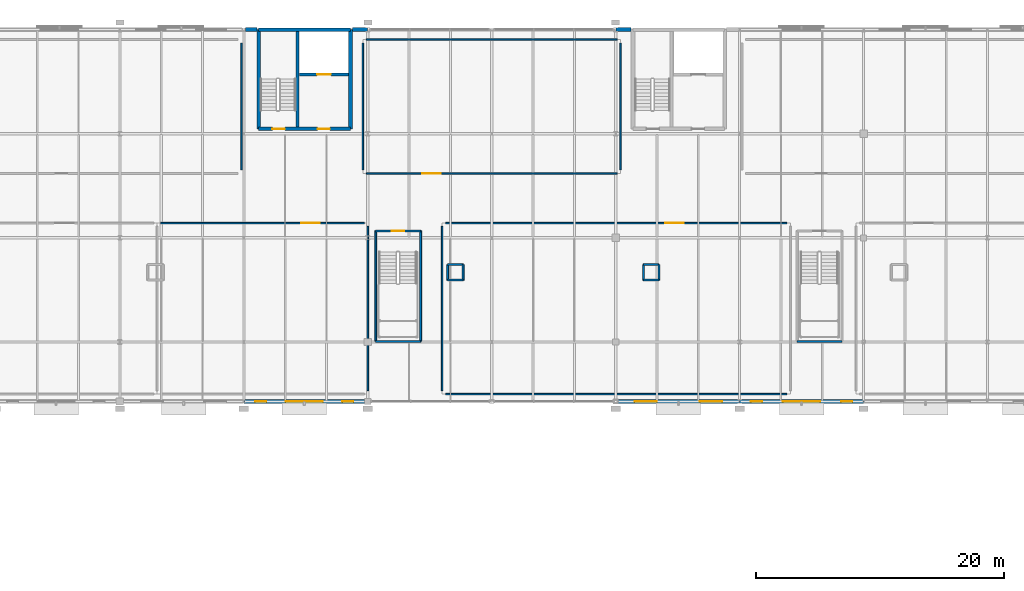
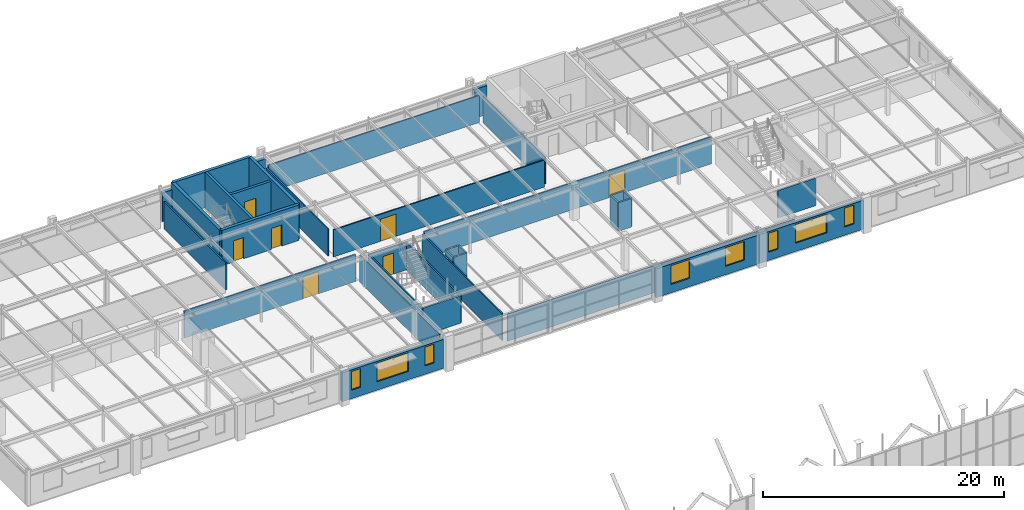
# One storey, part 100 of 109: 35 walls, 8 windows, 7 doors, 15 openings.
"""IFC4 building model written with IfcOpenShell, lengths in metres."""

from ifc_helpers import new_model, si_unit, derived_unit, direction, frame, frame_2d, origin, place, context, subcontext, project, spatial, rectangle, extrude, material, layer, layer_set, type_object, element, fill, save


model = new_model("IFC4")

# Units and contexts
model_context = context("Model", 3, precision=1e-05, world=origin(), true_north=direction((0.0, 1.0)))
body_context = subcontext(model_context, "Body", "Model", "MODEL_VIEW")
ifc_project = project(units=[si_unit("LENGTHUNIT", "METRE"), si_unit("AREAUNIT", "SQUARE_METRE"), si_unit("VOLUMEUNIT", "CUBIC_METRE"), si_unit("PLANEANGLEUNIT", "RADIAN"), si_unit("MASSUNIT", "GRAM", prefix="KILO"), derived_unit("THERMALTRANSMITTANCEUNIT", [(si_unit("POWERUNIT", "WATT"), 1), (si_unit("LENGTHUNIT", "METRE"), -2), (si_unit("THERMODYNAMICTEMPERATUREUNIT", "KELVIN"), -1)])], contexts=[model_context])

# Site, building, storey
site_placement = place(None, origin())
site = spatial("IfcSite", under=ifc_project, at=site_placement, CompositionType="ELEMENT")
building_placement = place(site_placement, origin())
building = spatial("IfcBuilding", under=site, at=building_placement, Name="Cinnabar Yard Market Hall", CompositionType="ELEMENT")
storey_placement = place(building_placement, frame((0.0, 0.0, 8.39990234375)))
storey = spatial("IfcBuildingStorey", under=building, at=storey_placement, Name="L02", CompositionType="ELEMENT", Elevation=8.39990234375)

# Wall
ifc_material_1 = material(Name="Acoustic steel-stud plasterboard", Category="steel")
ifc_layer_1 = layer(ifc_material_1, 0.1201171875)
ifc_layer_set_1 = layer_set([ifc_layer_1], Name="Acoustic steel-stud plasterboard")
wall_type_1 = type_object("IfcWallType", Name="WL-PT120", PredefinedType="PARTITIONING", material=ifc_layer_set_1)
wall_1_placement = place(storey_placement, frame((106.0, 108.8798828125, 0.0), z_axis=(0.0, 0.0, 1.0), x_axis=(0.0, 1.0, 0.0)))
element("IfcWall", 1, at=wall_1_placement, inside=storey, type_object=wall_type_1, Name="Partition Cooking School Pastry and Baking Kitchen 202 east", PredefinedType="PARTITIONING", context=body_context, shape_type="SweptSolid", body=[
    extrude(rectangle(XDim=13.240234375, YDim=0.1201171875, at=frame_2d((6.6201171875, 0.0), x_axis=(1.0, 0.0))), origin(), (0.0, 0.0, 1.0), 2.739990234375),
])

# Wall, opening, door
wall_2_placement = place(storey_placement, frame((105.719970703125, 122.39990234375, 0.0), z_axis=(0.0, 0.0, 1.0), x_axis=(-1.0, 0.0, 0.0)))
wall_2 = element("IfcWall", 2, at=wall_2_placement, inside=storey, type_object=wall_type_1, Name="Partition Cooking School Pastry and Baking Kitchen 202 north", PredefinedType="PARTITIONING", context=body_context, shape_type="SweptSolid", body=[
    extrude(rectangle(XDim=16.43994140625, YDim=0.1201171875, at=frame_2d((8.219970703125, 0.0), x_axis=(1.0, 0.0))), origin(), (0.0, 0.0, 1.0), 2.739990234375),
])
opening_1_placement = place(wall_2_placement, frame((3.585693359375, 0.0, 0.0)))
opening_1 = element("IfcOpeningElement", 3, at=opening_1_placement, cuts=wall_2, Name="Opening ID-170", PredefinedType="OPENING", context=body_context, shape_type="SweptSolid", body=[
    extrude(rectangle(XDim=1.5, YDim=2.25, at=frame_2d((0.75, 1.125), x_axis=(1.0, 0.0))), frame((0.0, 0.070068359375, 0.0), z_axis=(0.0, -1.0, 0.0), x_axis=(1.0, 0.0, 0.0)), (0.0, 0.0, 1.0), 0.14013671875),
])
ifc_material_2 = material(Name="Spotted gum timber and vision glass", Category="wood")
door_type_1 = type_object("IfcDoorType", Name="DR-D08", OperationType="NOTDEFINED", PredefinedType="DOOR", material=ifc_material_2)
door_1_placement = place(opening_1_placement, origin())
door_1 = element("IfcDoor", 4, at=door_1_placement, inside=storey, type_object=door_type_1, Name="Interior Door ID-170", OperationType="DOUBLE_SWING_LEFT", OverallHeight=2.25, OverallWidth=1.5, PredefinedType="DOOR", context=body_context, shape_type="SweptSolid", body=[
    extrude(rectangle(XDim=1.5, YDim=2.25, at=frame_2d((0.75, 1.125), x_axis=(1.0, 0.0))), frame((0.0, 0.02490234375, 0.0), z_axis=(0.0, -1.0, 0.0), x_axis=(1.0, 0.0, 0.0)), (0.0, 0.0, 1.0), 0.050048828125),
])
fill(opening_1, door_1)

# Wall
wall_3_placement = place(storey_placement, frame((112.280029296875, 108.60009765625, 0.0), z_axis=(0.0, 0.0, 1.0), x_axis=(1.0, 0.0, 0.0)))
element("IfcWall", 5, at=wall_3_placement, inside=storey, type_object=wall_type_1, Name="Partition Culinary Demonstration Auditorium south", PredefinedType="PARTITIONING", context=body_context, shape_type="SweptSolid", body=[
    extrude(rectangle(XDim=27.5400390625, YDim=0.1201171875, at=frame_2d((13.77001953125, 0.0), x_axis=(1.0, 0.0))), origin(), (0.0, 0.0, 1.0), 2.739990234375),
])

# Wall, opening, door
wall_4_placement = place(storey_placement, frame((139.820068359375, 122.39990234375, 0.0), z_axis=(0.0, 0.0, 1.0), x_axis=(-1.0, 0.0, 0.0)))
wall_4 = element("IfcWall", 6, at=wall_4_placement, inside=storey, type_object=wall_type_1, Name="Partition Culinary Demonstration Auditorium north", PredefinedType="PARTITIONING", context=body_context, shape_type="SweptSolid", body=[
    extrude(rectangle(XDim=27.5400390625, YDim=0.1201171875, at=frame_2d((13.77001953125, 0.0), x_axis=(1.0, 0.0))), origin(), (0.0, 0.0, 1.0), 2.739990234375),
])
opening_2_placement = place(wall_4_placement, frame((8.332763671875, 0.0, 0.0)))
opening_2 = element("IfcOpeningElement", 7, at=opening_2_placement, cuts=wall_4, Name="Opening ID-171", PredefinedType="OPENING", context=body_context, shape_type="SweptSolid", body=[
    extrude(rectangle(XDim=1.5, YDim=2.25, at=frame_2d((0.75, 1.125), x_axis=(1.0, 0.0))), frame((0.0, 0.070068359375, 0.0), z_axis=(0.0, -1.0, 0.0), x_axis=(1.0, 0.0, 0.0)), (0.0, 0.0, 1.0), 0.14013671875),
])
door_2_placement = place(opening_2_placement, origin())
door_2 = element("IfcDoor", 8, at=door_2_placement, inside=storey, type_object=door_type_1, Name="Interior Door ID-171", OperationType="DOUBLE_SWING_RIGHT", OverallHeight=2.25, OverallWidth=1.5, PredefinedType="DOOR", context=body_context, shape_type="SweptSolid", body=[
    extrude(rectangle(XDim=1.5, YDim=2.25, at=frame_2d((0.75, 1.125), x_axis=(1.0, 0.0))), frame((0.0, 0.02490234375, 0.0), z_axis=(0.0, -1.0, 0.0), x_axis=(1.0, 0.0, 0.0)), (0.0, 0.0, 1.0), 0.050048828125),
])
fill(opening_2, door_2)

# Wall
wall_5_placement = place(storey_placement, frame((112.0, 122.1201171875, 0.0), z_axis=(0.0, 0.0, 1.0), x_axis=(0.0, -1.0, 0.0)))
element("IfcWall", 9, at=wall_5_placement, inside=storey, type_object=wall_type_1, Name="Partition Culinary Demonstration Auditorium west", PredefinedType="PARTITIONING", context=body_context, shape_type="SweptSolid", body=[
    extrude(rectangle(XDim=13.240234375, YDim=0.1201171875, at=frame_2d((6.6201171875, 0.0), x_axis=(1.0, 0.0))), origin(), (0.0, 0.0, 1.0), 2.739990234375),
])

# Wall, opening, door
wall_6_placement = place(storey_placement, frame((105.8798828125, 126.39990234375, 0.0), z_axis=(0.0, 0.0, 1.0), x_axis=(1.0, 0.0, 0.0)))
wall_6 = element("IfcWall", 10, at=wall_6_placement, inside=storey, type_object=wall_type_1, Name="Partition Sensory Evaluation Classroom 203 south", PredefinedType="PARTITIONING", context=body_context, shape_type="SweptSolid", body=[
    extrude(rectangle(XDim=20.240234375, YDim=0.1201171875, at=frame_2d((10.1201171875, 0.0), x_axis=(1.0, 0.0))), origin(), (0.0, 0.0, 1.0), 2.739990234375),
])
opening_3_placement = place(wall_6_placement, frame((4.49755859375, 0.0, 0.0)))
opening_3 = element("IfcOpeningElement", 11, at=opening_3_placement, cuts=wall_6, Name="Opening ID-174", PredefinedType="OPENING", context=body_context, shape_type="SweptSolid", body=[
    extrude(rectangle(XDim=1.5, YDim=2.25, at=frame_2d((0.75, 1.125), x_axis=(1.0, 0.0))), frame((0.0, 0.070068359375, 0.0), z_axis=(0.0, -1.0, 0.0), x_axis=(1.0, 0.0, 0.0)), (0.0, 0.0, 1.0), 0.14013671875),
])
door_3_placement = place(opening_3_placement, origin())
door_3 = element("IfcDoor", 12, at=door_3_placement, inside=storey, type_object=door_type_1, Name="Interior Door ID-174", OperationType="DOUBLE_SWING_LEFT", OverallHeight=2.25, OverallWidth=1.5, PredefinedType="DOOR", context=body_context, shape_type="SweptSolid", body=[
    extrude(rectangle(XDim=1.5, YDim=2.25, at=frame_2d((0.75, 1.125), x_axis=(1.0, 0.0))), frame((0.0, 0.02490234375, 0.0), z_axis=(0.0, -1.0, 0.0), x_axis=(1.0, 0.0, 0.0)), (0.0, 0.0, 1.0), 0.050048828125),
])
fill(opening_3, door_3)

# Walls
wall_7_placement = place(storey_placement, frame((126.39990234375, 126.679931640625, 0.0), z_axis=(0.0, 0.0, 1.0), x_axis=(0.0, 1.0, 0.0)))
element("IfcWall", 13, at=wall_7_placement, inside=storey, type_object=wall_type_1, Name="Partition Sensory Evaluation Classroom 203 east", PredefinedType="PARTITIONING", context=body_context, shape_type="SweptSolid", body=[
    extrude(rectangle(XDim=10.239990234375, YDim=0.1201171875, at=frame_2d((5.1201171875, 0.0), x_axis=(1.0, 0.0))), origin(), (0.0, 0.0, 1.0), 2.739990234375),
])
wall_8_placement = place(storey_placement, frame((126.1201171875, 137.199951171875, 0.0), z_axis=(0.0, 0.0, 1.0), x_axis=(-1.0, 0.0, 0.0)))
element("IfcWall", 14, at=wall_8_placement, inside=storey, type_object=wall_type_1, Name="Partition Sensory Evaluation Classroom 203 north", PredefinedType="PARTITIONING", context=body_context, shape_type="SweptSolid", body=[
    extrude(rectangle(XDim=20.240234375, YDim=0.1201171875, at=frame_2d((10.1201171875, 0.0), x_axis=(1.0, 0.0))), origin(), (0.0, 0.0, 1.0), 2.739990234375),
])
wall_9_placement = place(storey_placement, frame((105.60009765625, 136.919921875, 0.0), z_axis=(0.0, 0.0, 1.0), x_axis=(0.0, -1.0, 0.0)))
element("IfcWall", 15, at=wall_9_placement, inside=storey, type_object=wall_type_1, Name="Partition Sensory Evaluation Classroom 203 west", PredefinedType="PARTITIONING", context=body_context, shape_type="SweptSolid", body=[
    extrude(rectangle(XDim=10.239990234375, YDim=0.1201171875, at=frame_2d((5.1201171875, 0.0), x_axis=(1.0, 0.0))), origin(), (0.0, 0.0, 1.0), 2.739990234375),
])
ifc_material_3 = material(Name="Moisture-resistant tiled service wall")
ifc_layer_2 = layer(ifc_material_3, 0.139892578125)
ifc_layer_set_2 = layer_set([ifc_layer_2], Name="Moisture-resistant tiled service wall")
wall_type_2 = type_object("IfcWallType", Name="WL-PT140", PredefinedType="PLUMBINGWALL", material=ifc_layer_set_2)
wall_10_placement = place(storey_placement, frame((95.800048828125, 126.679931640625, 0.0), z_axis=(0.0, 0.0, 1.0), x_axis=(0.0, 1.0, 0.0)))
element("IfcWall", 16, at=wall_10_placement, inside=storey, type_object=wall_type_2, Name="Partition Teaching Scullery and Ingredient Larder east", PredefinedType="PLUMBINGWALL", context=body_context, shape_type="SweptSolid", body=[
    extrude(rectangle(XDim=10.239990234375, YDim=0.139892578125, at=frame_2d((5.1201171875, 0.0), x_axis=(1.0, 0.0))), origin(), (0.0, 0.0, 1.0), 2.739990234375),
])
ifc_material_4 = material(Name="Fire-rated steel-stud plasterboard", Category="steel")
ifc_layer_3 = layer(ifc_material_4, 0.14990234375)
ifc_layer_set_3 = layer_set([ifc_layer_3], Name="Fire-rated steel-stud plasterboard")
wall_type_3 = type_object("IfcWallType", Name="WL-PT150", PredefinedType="PARTITIONING", material=ifc_layer_set_3)
for number, where, z_axis, x_axis, name in (
    (17, (106.639892578125, 121.760009765625, 0.0), (0.0, 0.0, 1.0), (0.0, -1.0, 0.0), "Stair ST-F4 Shaft Wall W L02"),
    (18, (110.260009765625, 112.840087890625, 0.0), (0.0, 0.0, 1.0), (0.0, 1.0, 0.0), "Stair ST-F4 Shaft Wall E L02"),
):
    element("IfcWall", number, at=place(storey_placement, frame(where, z_axis=z_axis, x_axis=x_axis)), inside=storey, type_object=wall_type_3, Name=name, PredefinedType="PARTITIONING", context=body_context, shape_type="SweptSolid", body=[
        extrude(rectangle(XDim=8.919921875, YDim=0.14990234375, at=frame_2d((4.4599609375, 0.0), x_axis=(1.0, 0.0))), origin(), (0.0, 0.0, 1.0), 2.780029296875),
    ])
wall_11_placement = place(storey_placement, frame((106.639892578125, 112.840087890625, 0.0), z_axis=(0.0, 0.0, 1.0), x_axis=(1.0, 0.0, 0.0)))
element("IfcWall", 19, at=wall_11_placement, inside=storey, type_object=wall_type_3, Name="Stair ST-F4 Shaft Wall S L02", PredefinedType="PARTITIONING", context=body_context, shape_type="SweptSolid", body=[
    extrude(rectangle(XDim=3.6201171875, YDim=0.14990234375, at=frame_2d((1.81005859375, 0.0), x_axis=(1.0, 0.0))), origin(), (0.0, 0.0, 1.0), 2.780029296875),
])

# Wall, opening, door
wall_12_placement = place(storey_placement, frame((110.260009765625, 121.760009765625, 0.0), z_axis=(0.0, 0.0, 1.0), x_axis=(-1.0, 0.0, 0.0)))
wall_12 = element("IfcWall", 20, at=wall_12_placement, inside=storey, type_object=wall_type_3, Name="Stair ST-F4 Shaft Wall N L02", PredefinedType="PARTITIONING", context=body_context, shape_type="SweptSolid", body=[
    extrude(rectangle(XDim=3.6201171875, YDim=0.14990234375, at=frame_2d((1.81005859375, 0.0), x_axis=(1.0, 0.0))), origin(), (0.0, 0.0, 1.0), 2.780029296875),
])
opening_4_placement = place(wall_12_placement, frame((1.31005859375, 0.0, 0.0)))
opening_4 = element("IfcOpeningElement", 21, at=opening_4_placement, cuts=wall_12, Name="Opening CD-075", PredefinedType="OPENING", context=body_context, shape_type="SweptSolid", body=[
    extrude(rectangle(XDim=1.0, YDim=2.14990234375, at=frame_2d((0.5, 1.074951171875), x_axis=(1.0, 0.0))), frame((0.0, 0.0849609375, 0.0), z_axis=(0.0, -1.0, 0.0), x_axis=(1.0, 0.0, 0.0)), (0.0, 0.0, 1.0), 0.169921875),
])
ifc_material_5 = material(Name="Solid-core spotted gum timber", Category="wood")
door_type_2 = type_object("IfcDoorType", Name="DR-D05", OperationType="NOTDEFINED", PredefinedType="DOOR", material=ifc_material_5)
door_4_placement = place(opening_4_placement, origin())
door_4 = element("IfcDoor", 22, at=door_4_placement, inside=storey, type_object=door_type_2, Name="Stair Door CD-075", OperationType="SINGLE_SWING_LEFT", OverallHeight=2.14990234375, OverallWidth=1.0, PredefinedType="DOOR", context=body_context, shape_type="SweptSolid", body=[
    extrude(rectangle(XDim=1.0, YDim=2.14990234375, at=frame_2d((0.5, 1.074951171875), x_axis=(1.0, 0.0))), frame((0.0, 0.02490234375, 0.0), z_axis=(0.0, -1.0, 0.0), x_axis=(1.0, 0.0, 0.0)), (0.0, 0.0, 1.0), 0.050048828125),
])
fill(opening_4, door_4)

# Walls
wall_13_placement = place(storey_placement, frame((140.639892578125, 112.840087890625, 0.0), z_axis=(0.0, 0.0, 1.0), x_axis=(1.0, 0.0, 0.0)))
element("IfcWall", 23, at=wall_13_placement, inside=storey, type_object=wall_type_3, Name="Stair ST-F6 Shaft Wall S L02", PredefinedType="PARTITIONING", context=body_context, shape_type="SweptSolid", body=[
    extrude(rectangle(XDim=3.6201171875, YDim=0.14990234375, at=frame_2d((1.81005859375, 0.0), x_axis=(1.0, 0.0))), origin(), (0.0, 0.0, 1.0), 2.780029296875),
])
for number, where, z_axis, x_axis, name in (
    (24, (112.43994140625, 117.800048828125, 0.0), (0.0, 0.0, 1.0), (1.0, 0.0, 0.0), "Service Shaft Wall L02-3-1"),
    (25, (113.68994140625, 117.800048828125, 0.0), (0.0, 0.0, 1.0), (0.0, 1.0, 0.0), "Service Shaft Wall L02-3-2"),
    (26, (113.68994140625, 119.050048828125, 0.0), (0.0, 0.0, 1.0), (-1.0, 0.0, 0.0), "Service Shaft Wall L02-3-3"),
    (27, (112.43994140625, 119.050048828125, 0.0), (0.0, 0.0, 1.0), (0.0, -1.0, 0.0), "Service Shaft Wall L02-3-4"),
    (28, (128.239990234375, 117.800048828125, 0.0), (0.0, 0.0, 1.0), (1.0, 0.0, 0.0), "Service Shaft Wall L02-4-1"),
    (29, (129.489990234375, 117.800048828125, 0.0), (0.0, 0.0, 1.0), (0.0, 1.0, 0.0), "Service Shaft Wall L02-4-2"),
    (30, (129.489990234375, 119.050048828125, 0.0), (0.0, 0.0, 1.0), (-1.0, 0.0, 0.0), "Service Shaft Wall L02-4-3"),
    (31, (128.239990234375, 119.050048828125, 0.0), (0.0, 0.0, 1.0), (0.0, -1.0, 0.0), "Service Shaft Wall L02-4-4"),
):
    element("IfcWall", number, at=place(storey_placement, frame(where, z_axis=z_axis, x_axis=x_axis)), inside=storey, type_object=wall_type_3, Name=name, PredefinedType="PARTITIONING", context=body_context, shape_type="SweptSolid", body=[
        extrude(rectangle(XDim=1.25, YDim=0.14990234375, at=frame_2d((0.625, 0.0), x_axis=(1.0, 0.0))), origin(), (0.0, 0.0, 1.0), 2.880126953125),
    ])
ifc_material_6 = material(Name="Concrete 40 MPa", Category="concrete")
ifc_layer_4 = layer(ifc_material_6, 0.300048828125)
ifc_layer_set_4 = layer_set([ifc_layer_4], Name="Concrete 40 MPa")
wall_type_4 = type_object("IfcWallType", Name="WL-W-CORE", PredefinedType="SHEAR", material=ifc_layer_set_4)
for number, where, z_axis, x_axis, name in (
    (32, (97.199951171875, 138.0, 0.0), (0.0, 0.0, 1.0), (0.0, -1.0, 0.0), "Core C5 West Shear Wall L02"),
    (33, (104.60009765625, 130.0, 0.0), (0.0, 0.0, 1.0), (0.0, 1.0, 0.0), "Core C5 East Shear Wall L02"),
):
    element("IfcWall", number, at=place(storey_placement, frame(where, z_axis=z_axis, x_axis=x_axis)), inside=storey, type_object=wall_type_4, Name=name, PredefinedType="SHEAR", context=body_context, shape_type="SweptSolid", body=[
        extrude(rectangle(XDim=8.0, YDim=0.300048828125, at=frame_2d((4.0, 0.0), x_axis=(1.0, 0.0))), origin(), (0.0, 0.0, 1.0), 3.60009765625),
    ])

# Wall, openings, doors
wall_14_placement = place(storey_placement, frame((97.199951171875, 130.0, 0.0), z_axis=(0.0, 0.0, 1.0), x_axis=(1.0, 0.0, 0.0)))
wall_14 = element("IfcWall", 34, at=wall_14_placement, inside=storey, type_object=wall_type_4, Name="Core C5 South Shear Wall L02", PredefinedType="SHEAR", context=body_context, shape_type="SweptSolid", body=[
    extrude(rectangle(XDim=7.400146484375, YDim=0.300048828125, at=frame_2d((3.7001953125, 0.0), x_axis=(1.0, 0.0))), origin(), (0.0, 0.0, 1.0), 3.60009765625),
])
opening_5_placement = place(wall_14_placement, frame((1.10009765625, 0.0, 0.0)))
opening_5 = element("IfcOpeningElement", 35, at=opening_5_placement, cuts=wall_14, Name="Opening CD-035", PredefinedType="OPENING", context=body_context, shape_type="SweptSolid", body=[
    extrude(rectangle(XDim=1.0, YDim=2.14990234375, at=frame_2d((0.5, 1.074951171875), x_axis=(1.0, 0.0))), frame((0.0, 0.159912109375, 0.0), z_axis=(0.0, -1.0, 0.0), x_axis=(1.0, 0.0, 0.0)), (0.0, 0.0, 1.0), 0.320068359375),
])
opening_6_placement = place(wall_14_placement, frame((4.75, 0.0, 0.0)))
opening_6 = element("IfcOpeningElement", 36, at=opening_6_placement, cuts=wall_14, Name="Opening CD-036", PredefinedType="OPENING", context=body_context, shape_type="SweptSolid", body=[
    extrude(rectangle(XDim=1.0, YDim=2.14990234375, at=frame_2d((0.5, 1.074951171875), x_axis=(1.0, 0.0))), frame((0.0, 0.159912109375, 0.0), z_axis=(0.0, -1.0, 0.0), x_axis=(1.0, 0.0, 0.0)), (0.0, 0.0, 1.0), 0.320068359375),
])
door_5_placement = place(opening_5_placement, origin())
door_5 = element("IfcDoor", 37, at=door_5_placement, inside=storey, type_object=door_type_2, Name="Core Door CD-035", OperationType="SINGLE_SWING_RIGHT", OverallHeight=2.14990234375, OverallWidth=1.0, PredefinedType="DOOR", context=body_context, shape_type="SweptSolid", body=[
    extrude(rectangle(XDim=1.0, YDim=2.14990234375, at=frame_2d((0.5, 1.074951171875), x_axis=(1.0, 0.0))), frame((0.0, 0.02490234375, 0.0), z_axis=(0.0, -1.0, 0.0), x_axis=(1.0, 0.0, 0.0)), (0.0, 0.0, 1.0), 0.050048828125),
])
fill(opening_5, door_5)
door_6_placement = place(opening_6_placement, origin())
door_6 = element("IfcDoor", 38, at=door_6_placement, inside=storey, type_object=door_type_2, Name="Core Door CD-036", OperationType="SINGLE_SWING_LEFT", OverallHeight=2.14990234375, OverallWidth=1.0, PredefinedType="DOOR", context=body_context, shape_type="SweptSolid", body=[
    extrude(rectangle(XDim=1.0, YDim=2.14990234375, at=frame_2d((0.5, 1.074951171875), x_axis=(1.0, 0.0))), frame((0.0, 0.02490234375, 0.0), z_axis=(0.0, -1.0, 0.0), x_axis=(1.0, 0.0, 0.0)), (0.0, 0.0, 1.0), 0.050048828125),
])
fill(opening_6, door_6)

# Wall
wall_15_placement = place(storey_placement, frame((104.60009765625, 138.0, 0.0), z_axis=(0.0, 0.0, 1.0), x_axis=(-1.0, 0.0, 0.0)))
element("IfcWall", 39, at=wall_15_placement, inside=storey, type_object=wall_type_4, Name="Core C5 North Shear Wall L02", PredefinedType="SHEAR", context=body_context, shape_type="SweptSolid", body=[
    extrude(rectangle(XDim=7.400146484375, YDim=0.300048828125, at=frame_2d((3.7001953125, 0.0), x_axis=(1.0, 0.0))), origin(), (0.0, 0.0, 1.0), 3.60009765625),
])

# Wall, openings, windows
ifc_material_7 = material(Name="Cream limestone and Concrete 32 MPa", Category="masonry")
ifc_layer_5 = layer(ifc_material_7, 0.320068359375)
ifc_layer_set_5 = layer_set([ifc_layer_5], Name="Cream limestone and Concrete 32 MPa")
wall_type_5 = type_object("IfcWallType", Name="WL-W-EXT2", PredefinedType="SOLIDWALL", material=ifc_layer_set_5)
wall_16_placement = place(storey_placement, frame((96.010009765625, 108.0, 0.0), z_axis=(0.0, 0.0, 1.0), x_axis=(1.0, 0.0, 0.0)))
wall_16 = element("IfcWall", 40, at=wall_16_placement, inside=storey, type_object=wall_type_5, Name="Wing South Wall L02 Bay 4", PredefinedType="SOLIDWALL", context=body_context, shape_type="SweptSolid", body=[
    extrude(rectangle(XDim=9.736083984375, YDim=0.320068359375, at=frame_2d((4.8681640625, 0.0), x_axis=(1.0, 0.0))), origin(), (0.0, 0.0, 1.0), 2.920166015625),
])
opening_7_placement = place(wall_16_placement, frame((3.367919921875, 0.0, 0.85009765625)))
opening_7 = element("IfcOpeningElement", 41, at=opening_7_placement, cuts=wall_16, Name="Opening W09", PredefinedType="OPENING", context=body_context, shape_type="SweptSolid", body=[
    extrude(rectangle(XDim=3.0, YDim=1.89990234375, at=frame_2d((1.5, 0.949951171875), x_axis=(1.0, 0.0))), frame((0.0, 0.169921875, 0.0), z_axis=(0.0, -1.0, 0.0), x_axis=(1.0, 0.0, 0.0)), (0.0, 0.0, 1.0), 0.340087890625),
])
opening_8_placement = place(wall_16_placement, frame((0.89990234375, 0.0, 0.85009765625)))
opening_8 = element("IfcOpeningElement", 42, at=opening_8_placement, cuts=wall_16, Name="Opening W10", PredefinedType="OPENING", context=body_context, shape_type="SweptSolid", body=[
    extrude(rectangle(XDim=0.89990234375, YDim=1.89990234375, at=frame_2d((0.449951171875, 0.949951171875), x_axis=(1.0, 0.0))), frame((0.0, 0.169921875, 0.0), z_axis=(0.0, -1.0, 0.0), x_axis=(1.0, 0.0, 0.0)), (0.0, 0.0, 1.0), 0.340087890625),
])
opening_9_placement = place(wall_16_placement, frame((7.93603515625, 0.0, 0.85009765625)))
opening_9 = element("IfcOpeningElement", 43, at=opening_9_placement, cuts=wall_16, Name="Opening W10", PredefinedType="OPENING", context=body_context, shape_type="SweptSolid", body=[
    extrude(rectangle(XDim=0.89990234375, YDim=1.89990234375, at=frame_2d((0.449951171875, 0.949951171875), x_axis=(1.0, 0.0))), frame((0.0, 0.169921875, 0.0), z_axis=(0.0, -1.0, 0.0), x_axis=(1.0, 0.0, 0.0)), (0.0, 0.0, 1.0), 0.340087890625),
])
ifc_material_8 = material(Name="Solar-control double glazing in bronze aluminium", Category="aluminium")
window_type_1 = type_object("IfcWindowType", Name="WN-W09", PartitioningType="SINGLE_PANEL", PredefinedType="WINDOW", material=ifc_material_8)
window_1_placement = place(opening_7_placement, origin())
window_1 = element("IfcWindow", 44, at=window_1_placement, inside=storey, type_object=window_type_1, Name="Window WN-V3S-L02-4M", OverallHeight=1.89990234375, OverallWidth=3.0, PartitioningType="SINGLE_PANEL", PredefinedType="WINDOW", context=body_context, shape_type="SweptSolid", body=[
    extrude(rectangle(XDim=3.0, YDim=1.89990234375, at=frame_2d((1.5, 0.949951171875), x_axis=(1.0, 0.0))), frame((0.0, 0.030029296875, 0.0), z_axis=(0.0, -1.0, 0.0), x_axis=(1.0, 0.0, 0.0)), (0.0, 0.0, 1.0), 0.06005859375),
])
fill(opening_7, window_1)
ifc_material_9 = material(Name="Narrow Mughal lancet glazing in bronze aluminium", Category="aluminium")
window_type_2 = type_object("IfcWindowType", Name="WN-W10", PartitioningType="SINGLE_PANEL", PredefinedType="WINDOW", material=ifc_material_9)
window_2_placement = place(opening_8_placement, origin())
window_2 = element("IfcWindow", 45, at=window_2_placement, inside=storey, type_object=window_type_2, Name="Window WN-V3S-L02-4L", OverallHeight=1.89990234375, OverallWidth=0.89990234375, PartitioningType="SINGLE_PANEL", PredefinedType="WINDOW", context=body_context, shape_type="SweptSolid", body=[
    extrude(rectangle(XDim=0.89990234375, YDim=1.89990234375, at=frame_2d((0.449951171875, 0.949951171875), x_axis=(1.0, 0.0))), frame((0.0, 0.030029296875, 0.0), z_axis=(0.0, -1.0, 0.0), x_axis=(1.0, 0.0, 0.0)), (0.0, 0.0, 1.0), 0.06005859375),
])
fill(opening_8, window_2)
window_3_placement = place(opening_9_placement, origin())
window_3 = element("IfcWindow", 46, at=window_3_placement, inside=storey, type_object=window_type_2, Name="Window WN-V3S-L02-4R", OverallHeight=1.89990234375, OverallWidth=0.89990234375, PartitioningType="SINGLE_PANEL", PredefinedType="WINDOW", context=body_context, shape_type="SweptSolid", body=[
    extrude(rectangle(XDim=0.89990234375, YDim=1.89990234375, at=frame_2d((0.449951171875, 0.949951171875), x_axis=(1.0, 0.0))), frame((0.0, 0.030029296875, 0.0), z_axis=(0.0, -1.0, 0.0), x_axis=(1.0, 0.0, 0.0)), (0.0, 0.0, 1.0), 0.06005859375),
])
fill(opening_9, window_3)

# Walls
wall_17_placement = place(storey_placement, frame((97.050048828125, 138.0, 0.0), z_axis=(0.0, 0.0, 1.0), x_axis=(-1.0, 0.0, 0.0)))
element("IfcWall", 47, at=wall_17_placement, inside=storey, type_object=wall_type_5, Name="Wing North Flank L02 Bay 4W", PredefinedType="SOLIDWALL", context=body_context, shape_type="SweptSolid", body=[
    extrude(rectangle(XDim=0.91943359375, YDim=0.320068359375, at=frame_2d((0.459716796875, 0.0), x_axis=(1.0, 0.0))), origin(), (0.0, 0.0, 1.0), 2.920166015625),
])
wall_18_placement = place(storey_placement, frame((105.989990234375, 138.0, 0.0), z_axis=(0.0, 0.0, 1.0), x_axis=(-1.0, 0.0, 0.0)))
element("IfcWall", 48, at=wall_18_placement, inside=storey, type_object=wall_type_5, Name="Wing North Flank L02 Bay 4E", PredefinedType="SOLIDWALL", context=body_context, shape_type="SweptSolid", body=[
    extrude(rectangle(XDim=1.239990234375, YDim=0.320068359375, at=frame_2d((0.6201171875, 0.0), x_axis=(1.0, 0.0))), origin(), (0.0, 0.0, 1.0), 2.920166015625),
])

# Wall, openings, windows
wall_19_placement = place(storey_placement, frame((126.130615234375, 108.0, 0.0), z_axis=(0.0, 0.0, 1.0), x_axis=(1.0, 0.0, 0.0)))
wall_19 = element("IfcWall", 49, at=wall_19_placement, inside=storey, type_object=wall_type_5, Name="Wing South Wall L02 Bay 7", PredefinedType="SOLIDWALL", context=body_context, shape_type="SweptSolid", body=[
    extrude(rectangle(XDim=9.859375, YDim=0.320068359375, at=frame_2d((4.9296875, 0.0), x_axis=(1.0, 0.0))), origin(), (0.0, 0.0, 1.0), 2.920166015625),
])
opening_10_placement = place(wall_19_placement, frame((1.39990234375, 0.0, 0.85009765625)))
opening_10 = element("IfcOpeningElement", 50, at=opening_10_placement, cuts=wall_19, Name="Opening W07", PredefinedType="OPENING", context=body_context, shape_type="SweptSolid", body=[
    extrude(rectangle(XDim=1.800048828125, YDim=1.89990234375, at=frame_2d((0.89990234375, 0.949951171875), x_axis=(1.0, 0.0))), frame((0.0, 0.169921875, 0.0), z_axis=(0.0, -1.0, 0.0), x_axis=(1.0, 0.0, 0.0)), (0.0, 0.0, 1.0), 0.340087890625),
])
opening_11_placement = place(wall_19_placement, frame((6.659423828125, 0.0, 0.85009765625)))
opening_11 = element("IfcOpeningElement", 51, at=opening_11_placement, cuts=wall_19, Name="Opening W07", PredefinedType="OPENING", context=body_context, shape_type="SweptSolid", body=[
    extrude(rectangle(XDim=1.800048828125, YDim=1.89990234375, at=frame_2d((0.89990234375, 0.949951171875), x_axis=(1.0, 0.0))), frame((0.0, 0.169921875, 0.0), z_axis=(0.0, -1.0, 0.0), x_axis=(1.0, 0.0, 0.0)), (0.0, 0.0, 1.0), 0.340087890625),
])
ifc_material_10 = material(Name="Low-E double glazing in bronze aluminium", Category="aluminium")
window_type_3 = type_object("IfcWindowType", Name="WN-W07", PartitioningType="SINGLE_PANEL", PredefinedType="WINDOW", material=ifc_material_10)
window_4_placement = place(opening_10_placement, origin())
window_4 = element("IfcWindow", 52, at=window_4_placement, inside=storey, type_object=window_type_3, Name="Window WN-V3S-L02-7A", OverallHeight=1.89990234375, OverallWidth=1.800048828125, PartitioningType="SINGLE_PANEL", PredefinedType="WINDOW", context=body_context, shape_type="SweptSolid", body=[
    extrude(rectangle(XDim=1.800048828125, YDim=1.89990234375, at=frame_2d((0.89990234375, 0.949951171875), x_axis=(1.0, 0.0))), frame((0.0, 0.030029296875, 0.0), z_axis=(0.0, -1.0, 0.0), x_axis=(1.0, 0.0, 0.0)), (0.0, 0.0, 1.0), 0.06005859375),
])
fill(opening_10, window_4)
window_5_placement = place(opening_11_placement, origin())
window_5 = element("IfcWindow", 53, at=window_5_placement, inside=storey, type_object=window_type_3, Name="Window WN-V3S-L02-7B", OverallHeight=1.89990234375, OverallWidth=1.800048828125, PartitioningType="SINGLE_PANEL", PredefinedType="WINDOW", context=body_context, shape_type="SweptSolid", body=[
    extrude(rectangle(XDim=1.800048828125, YDim=1.89990234375, at=frame_2d((0.89990234375, 0.949951171875), x_axis=(1.0, 0.0))), frame((0.0, 0.030029296875, 0.0), z_axis=(0.0, -1.0, 0.0), x_axis=(1.0, 0.0, 0.0)), (0.0, 0.0, 1.0), 0.06005859375),
])
fill(opening_11, window_5)

# Wall
wall_20_placement = place(storey_placement, frame((127.25, 138.0, 0.0), z_axis=(0.0, 0.0, 1.0), x_axis=(-1.0, 0.0, 0.0)))
element("IfcWall", 54, at=wall_20_placement, inside=storey, type_object=wall_type_5, Name="Wing North Flank L02 Bay 7W", PredefinedType="SOLIDWALL", context=body_context, shape_type="SweptSolid", body=[
    extrude(rectangle(XDim=1.239013671875, YDim=0.320068359375, at=frame_2d((0.61962890625, 0.0), x_axis=(1.0, 0.0))), origin(), (0.0, 0.0, 1.0), 2.920166015625),
])

# Wall, openings, windows
wall_21_placement = place(storey_placement, frame((136.010009765625, 108.0, 0.0), z_axis=(0.0, 0.0, 1.0), x_axis=(1.0, 0.0, 0.0)))
wall_21 = element("IfcWall", 55, at=wall_21_placement, inside=storey, type_object=wall_type_5, Name="Wing South Wall L02 Bay 8", PredefinedType="SOLIDWALL", context=body_context, shape_type="SweptSolid", body=[
    extrude(rectangle(XDim=9.97998046875, YDim=0.320068359375, at=frame_2d((4.989990234375, 0.0), x_axis=(1.0, 0.0))), origin(), (0.0, 0.0, 1.0), 2.920166015625),
])
opening_12_placement = place(wall_21_placement, frame((3.489990234375, 0.0, 0.85009765625)))
opening_12 = element("IfcOpeningElement", 56, at=opening_12_placement, cuts=wall_21, Name="Opening W09", PredefinedType="OPENING", context=body_context, shape_type="SweptSolid", body=[
    extrude(rectangle(XDim=3.0, YDim=1.89990234375, at=frame_2d((1.5, 0.949951171875), x_axis=(1.0, 0.0))), frame((0.0, 0.169921875, 0.0), z_axis=(0.0, -1.0, 0.0), x_axis=(1.0, 0.0, 0.0)), (0.0, 0.0, 1.0), 0.340087890625),
])
opening_13_placement = place(wall_21_placement, frame((0.89990234375, 0.0, 0.85009765625)))
opening_13 = element("IfcOpeningElement", 57, at=opening_13_placement, cuts=wall_21, Name="Opening W10", PredefinedType="OPENING", context=body_context, shape_type="SweptSolid", body=[
    extrude(rectangle(XDim=0.89990234375, YDim=1.89990234375, at=frame_2d((0.449951171875, 0.949951171875), x_axis=(1.0, 0.0))), frame((0.0, 0.169921875, 0.0), z_axis=(0.0, -1.0, 0.0), x_axis=(1.0, 0.0, 0.0)), (0.0, 0.0, 1.0), 0.340087890625),
])
opening_14_placement = place(wall_21_placement, frame((8.179931640625, 0.0, 0.85009765625)))
opening_14 = element("IfcOpeningElement", 58, at=opening_14_placement, cuts=wall_21, Name="Opening W10", PredefinedType="OPENING", context=body_context, shape_type="SweptSolid", body=[
    extrude(rectangle(XDim=0.89990234375, YDim=1.89990234375, at=frame_2d((0.449951171875, 0.949951171875), x_axis=(1.0, 0.0))), frame((0.0, 0.169921875, 0.0), z_axis=(0.0, -1.0, 0.0), x_axis=(1.0, 0.0, 0.0)), (0.0, 0.0, 1.0), 0.340087890625),
])
window_6_placement = place(opening_12_placement, origin())
window_6 = element("IfcWindow", 59, at=window_6_placement, inside=storey, type_object=window_type_1, Name="Window WN-V3S-L02-8M", OverallHeight=1.89990234375, OverallWidth=3.0, PartitioningType="SINGLE_PANEL", PredefinedType="WINDOW", context=body_context, shape_type="SweptSolid", body=[
    extrude(rectangle(XDim=3.0, YDim=1.89990234375, at=frame_2d((1.5, 0.949951171875), x_axis=(1.0, 0.0))), frame((0.0, 0.030029296875, 0.0), z_axis=(0.0, -1.0, 0.0), x_axis=(1.0, 0.0, 0.0)), (0.0, 0.0, 1.0), 0.06005859375),
])
fill(opening_12, window_6)
window_7_placement = place(opening_13_placement, origin())
window_7 = element("IfcWindow", 60, at=window_7_placement, inside=storey, type_object=window_type_2, Name="Window WN-V3S-L02-8L", OverallHeight=1.89990234375, OverallWidth=0.89990234375, PartitioningType="SINGLE_PANEL", PredefinedType="WINDOW", context=body_context, shape_type="SweptSolid", body=[
    extrude(rectangle(XDim=0.89990234375, YDim=1.89990234375, at=frame_2d((0.449951171875, 0.949951171875), x_axis=(1.0, 0.0))), frame((0.0, 0.030029296875, 0.0), z_axis=(0.0, -1.0, 0.0), x_axis=(1.0, 0.0, 0.0)), (0.0, 0.0, 1.0), 0.06005859375),
])
fill(opening_13, window_7)
window_8_placement = place(opening_14_placement, origin())
window_8 = element("IfcWindow", 61, at=window_8_placement, inside=storey, type_object=window_type_2, Name="Window WN-V3S-L02-8R", OverallHeight=1.89990234375, OverallWidth=0.89990234375, PartitioningType="SINGLE_PANEL", PredefinedType="WINDOW", context=body_context, shape_type="SweptSolid", body=[
    extrude(rectangle(XDim=0.89990234375, YDim=1.89990234375, at=frame_2d((0.449951171875, 0.949951171875), x_axis=(1.0, 0.0))), frame((0.0, 0.030029296875, 0.0), z_axis=(0.0, -1.0, 0.0), x_axis=(1.0, 0.0, 0.0)), (0.0, 0.0, 1.0), 0.06005859375),
])
fill(opening_14, window_8)

# Wall
ifc_layer_6 = layer(ifc_material_6, 0.25)
ifc_layer_set_6 = layer_set([ifc_layer_6], Name="Concrete 40 MPa")
wall_type_6 = type_object("IfcWallType", Name="WL-W-SHAFT", PredefinedType="SHEAR", material=ifc_layer_set_6)
wall_22_placement = place(storey_placement, frame((100.31494140625, 130.14990234375, 0.0), z_axis=(0.0, 0.0, 1.0), x_axis=(0.0, 1.0, 0.0)))
element("IfcWall", 62, at=wall_22_placement, inside=storey, type_object=wall_type_6, Name="Core C5 Shaft Divider L02", PredefinedType="SHEAR", context=body_context, shape_type="SweptSolid", body=[
    extrude(rectangle(XDim=7.7001953125, YDim=0.25, at=frame_2d((3.85009765625, 0.0), x_axis=(1.0, 0.0))), origin(), (0.0, 0.0, 1.0), 3.60009765625),
])

# Wall, opening, door
wall_23_placement = place(storey_placement, frame((100.47998046875, 134.3798828125, 0.0), z_axis=(0.0, 0.0, 1.0), x_axis=(1.0, 0.0, 0.0)))
wall_23 = element("IfcWall", 63, at=wall_23_placement, inside=storey, type_object=wall_type_6, Name="Core C5 Lift Front Wall L02", PredefinedType="SHEAR", context=body_context, shape_type="SweptSolid", body=[
    extrude(rectangle(XDim=3.969970703125, YDim=0.25, at=frame_2d((1.98486328125, 0.0), x_axis=(1.0, 0.0))), origin(), (0.0, 0.0, 1.0), 3.360107421875),
])
opening_15_placement = place(wall_23_placement, frame((1.43505859375, 0.0, 0.0)))
opening_15 = element("IfcOpeningElement", 64, at=opening_15_placement, cuts=wall_23, Name="Opening LD-LF-02-L02", PredefinedType="OPENING", context=body_context, shape_type="SweptSolid", body=[
    extrude(rectangle(XDim=1.10009765625, YDim=2.14990234375, at=frame_2d((0.550048828125, 1.074951171875), x_axis=(1.0, 0.0))), frame((0.0, 0.135009765625, 0.0), z_axis=(0.0, -1.0, 0.0), x_axis=(1.0, 0.0, 0.0)), (0.0, 0.0, 1.0), 0.27001953125),
])
ifc_material_11 = material(Name="Brushed stainless steel landing door", Category="steel")
door_type_3 = type_object("IfcDoorType", Name="DR-LD01", OperationType="NOTDEFINED", PredefinedType="DOOR", material=ifc_material_11)
door_7_placement = place(opening_15_placement, origin())
door_7 = element("IfcDoor", 65, at=door_7_placement, inside=storey, type_object=door_type_3, Name="Lift Landing Door LD-LF-02-L02", OperationType="SLIDING_TO_LEFT", OverallHeight=2.14990234375, OverallWidth=1.10009765625, PredefinedType="DOOR", context=body_context, shape_type="SweptSolid", body=[
    extrude(rectangle(XDim=1.10009765625, YDim=2.14990234375, at=frame_2d((0.550048828125, 1.074951171875), x_axis=(1.0, 0.0))), frame((0.0, 0.02490234375, 0.0), z_axis=(0.0, -1.0, 0.0), x_axis=(1.0, 0.0, 0.0)), (0.0, 0.0, 1.0), 0.050048828125),
])
fill(opening_15, door_7)

save(model, "model.ifc")
